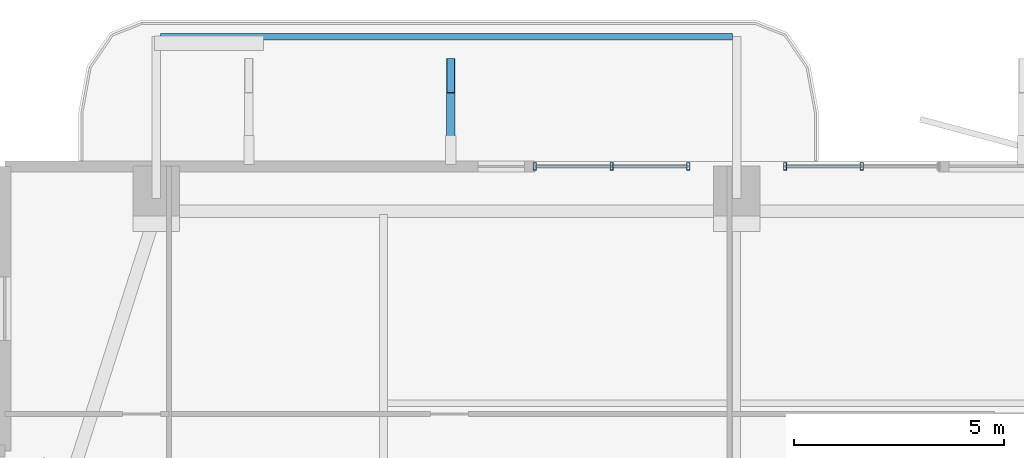
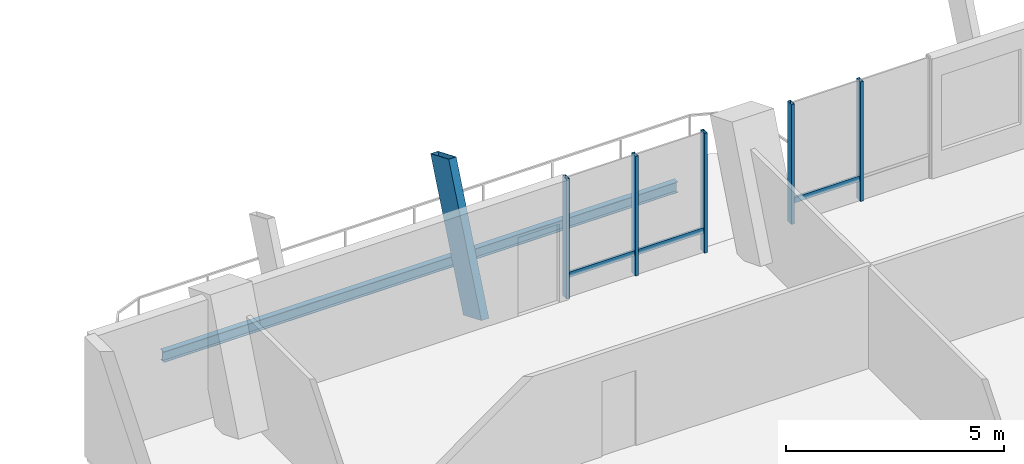
# One storey, part 13 of 24: 9 members, 1 beam, 2 elements without a shape of their own.
"""IFC4 building model written with IfcOpenShell, lengths in metres."""

from ifc_helpers import new_model, si_unit, direction, frame, origin, origin_2d, place, context, subcontext, project, spatial, hollow_rectangle, i_section, extrude, material, layer, layer_set, material_profile, profile_set, type_object, element, aggregate, save


model = new_model("IFC4")

# Units and contexts
model_context = context("Model", 3, precision=1e-05, world=origin(), true_north=direction((0.0, 1.0)))
body_context = subcontext(model_context, "Body", "Model", "MODEL_VIEW")
ifc_project = project(units=[si_unit("LENGTHUNIT", "METRE"), si_unit("AREAUNIT", "SQUARE_METRE"), si_unit("VOLUMEUNIT", "CUBIC_METRE"), si_unit("PLANEANGLEUNIT", "RADIAN"), si_unit("MASSUNIT", "GRAM", prefix="KILO")], contexts=[model_context])

# Site, building, storey
site_placement = place(None, origin())
site = spatial("IfcSite", under=ifc_project, at=site_placement, CompositionType="ELEMENT")
building_placement = place(site_placement, origin())
building = spatial("IfcBuilding", under=site, at=building_placement, Name="Belovzor Exchange Tower", CompositionType="ELEMENT")
storey_placement = place(building_placement, frame((0.0, 0.0, 190.800048828125)))
storey = spatial("IfcBuildingStorey", under=building, at=storey_placement, Name="L47", CompositionType="ELEMENT", Elevation=190.800048828125)

# Beam
ifc_material_1 = material(Name="Steel S355", Category="steel")
ifc_material_profile_1 = material_profile(ifc_material_1, i_section(OverallWidth=0.14990234375, OverallDepth=0.300048828125, WebThickness=0.007080078125, FlangeThickness=0.0107421875, at=origin_2d()))
ifc_profile_set_1 = profile_set([ifc_material_profile_1], Name="Steel S355")
beam_type = type_object("IfcBeamType", Name="Planted Balcony Fascia Edge Beam IPE 300", PredefinedType="BEAM", material=ifc_profile_set_1)
beam_placement = place(storey_placement, frame((28.699951171875, 56.052978515625, -0.405029296875), z_axis=(-1.0, 0.0, 0.0), x_axis=(0.0, -1.0, 0.0)))
element("IfcBeam", 1, at=beam_placement, inside=storey, type_object=beam_type, Name="BC-300 Planted Balcony Fascia Edge Beam IPE 300", PredefinedType="BEAM", context=body_context, shape_type="SweptSolid", body=[
    extrude(i_section(OverallWidth=0.14990234375, OverallDepth=0.300048828125, WebThickness=0.007080078125, FlangeThickness=0.0107421875, at=origin_2d()), origin(), (0.0, 0.0, 1.0), 13.599853515625),
])

# Member
ifc_material_2 = material(Name="Extruded Architectural Terracotta on Steel S355 Carrier", Category="masonry")
ifc_material_profile_2 = material_profile(ifc_material_2, hollow_rectangle(XDim=0.199951171875, YDim=0.89990234375, WallThickness=0.011962890625, at=origin_2d()))
ifc_profile_set_2 = profile_set([ifc_material_profile_2], Name="Extruded Architectural Terracotta on Steel S355 Carrier")
member_type_1 = type_object("IfcMemberType", Name="Sweeping Terracotta Baguette Fin Assembly 1250", PredefinedType="USERDEFINED", material=ifc_profile_set_2)
member_1_placement = place(storey_placement, frame((22.0, 53.625, -0.255126953125), z_axis=(0.0, 0.384162484071, 0.923265501268), x_axis=(-1.0, 0.0, 0.0)))
element("IfcMember", 2, at=member_1_placement, inside=storey, type_object=member_type_1, Name="FIN-TC125 Terracotta Facade Fin L47 N2", ObjectType="FIN", PredefinedType="USERDEFINED", context=body_context, shape_type="SweptSolid", body=[
    extrude(hollow_rectangle(XDim=0.199951171875, YDim=0.89990234375, WallThickness=0.011962890625, at=origin_2d()), origin(), (0.0, 0.0, 1.0), 3.904541015625),
])

# Curtain wall, members
ifc_material_3 = material(Name="Anodised Aluminium Framing", Category="aluminium")
ifc_layer = layer(ifc_material_3, 0.179931640625)
ifc_layer_set = layer_set([ifc_layer], Name="Anodised Aluminium Framing")
curtain_wall_type = type_object("IfcCurtainWallType", Name="Recessed Loggia Low-Iron Triple-Glazed Curtain Wall", PredefinedType="NOTDEFINED", material=ifc_layer_set)
curtain_wall_1_placement = place(storey_placement, origin())
curtain_wall_1 = element("IfcCurtainWall", 3, at=curtain_wall_1_placement, inside=storey, type_object=curtain_wall_type, Name="CW3 Recessed Loggia Low-Iron Triple-Glazed Curtain Wall L47", PredefinedType="NOTDEFINED")
ifc_material_4 = material(Name="Steel S355", Category="steel")
ifc_material_profile_3 = material_profile(ifc_material_4, hollow_rectangle(XDim=0.074951171875, YDim=0.179931640625, WallThickness=0.0048828125, at=origin_2d()))
ifc_profile_set_3 = profile_set([ifc_material_profile_3], Name="Steel S355")
member_type_2 = type_object("IfcMemberType", Name="Thermally Broken Curtain Wall Mullion 180x75", PredefinedType="MULLION", material=ifc_profile_set_3)
member_2_placement = place(storey_placement, frame((24.0, 52.969970703125, 0.0), z_axis=(0.0, 0.0, 1.0), x_axis=(1.0, 0.0, 0.0)))
member_2 = element("IfcMember", 4, at=member_2_placement, type_object=member_type_2, Name="CW-M180 Curtain Wall Mullion 1", PredefinedType="MULLION", context=body_context, shape_type="SweptSolid", body=[
    extrude(hollow_rectangle(XDim=0.074951171875, YDim=0.179931640625, WallThickness=0.0048828125, at=origin_2d()), origin(), (0.0, 0.0, 1.0), 3.349853515625),
])
member_3_placement = place(storey_placement, frame((25.824951171875, 52.969970703125, 0.0), z_axis=(0.0, 0.0, 1.0), x_axis=(1.0, 0.0, 0.0)))
member_3 = element("IfcMember", 5, at=member_3_placement, type_object=member_type_2, Name="CW-M180 Curtain Wall Mullion 2", PredefinedType="MULLION", context=body_context, shape_type="SweptSolid", body=[
    extrude(hollow_rectangle(XDim=0.074951171875, YDim=0.179931640625, WallThickness=0.0048828125, at=origin_2d()), origin(), (0.0, 0.0, 1.0), 3.349853515625),
])
member_4_placement = place(storey_placement, frame((27.64990234375, 52.969970703125, 0.0), z_axis=(0.0, 0.0, 1.0), x_axis=(1.0, 0.0, 0.0)))
member_4 = element("IfcMember", 6, at=member_4_placement, type_object=member_type_2, Name="CW-M180 Curtain Wall Mullion 3", PredefinedType="MULLION", context=body_context, shape_type="SweptSolid", body=[
    extrude(hollow_rectangle(XDim=0.074951171875, YDim=0.179931640625, WallThickness=0.0048828125, at=origin_2d()), origin(), (0.0, 0.0, 1.0), 3.349853515625),
])

curtain_wall_2_placement = place(storey_placement, origin())
curtain_wall_2 = element("IfcCurtainWall", 7, at=curtain_wall_2_placement, inside=storey, type_object=curtain_wall_type, Name="CW3 Recessed Loggia Low-Iron Triple-Glazed Curtain Wall L47", PredefinedType="NOTDEFINED")
member_5_placement = place(storey_placement, frame((29.949951171875, 52.969970703125, 0.0), z_axis=(0.0, 0.0, 1.0), x_axis=(1.0, 0.0, 0.0)))
member_5 = element("IfcMember", 8, at=member_5_placement, type_object=member_type_2, Name="CW-M180 Curtain Wall Mullion 1", PredefinedType="MULLION", context=body_context, shape_type="SweptSolid", body=[
    extrude(hollow_rectangle(XDim=0.074951171875, YDim=0.179931640625, WallThickness=0.0048828125, at=origin_2d()), origin(), (0.0, 0.0, 1.0), 3.349853515625),
])
member_6_placement = place(storey_placement, frame((31.77490234375, 52.969970703125, 0.0), z_axis=(0.0, 0.0, 1.0), x_axis=(1.0, 0.0, 0.0)))
member_6 = element("IfcMember", 9, at=member_6_placement, type_object=member_type_2, Name="CW-M180 Curtain Wall Mullion 2", PredefinedType="MULLION", context=body_context, shape_type="SweptSolid", body=[
    extrude(hollow_rectangle(XDim=0.074951171875, YDim=0.179931640625, WallThickness=0.0048828125, at=origin_2d()), origin(), (0.0, 0.0, 1.0), 3.349853515625),
])

# Member
ifc_material_5 = material(Name="Steel S355", Category="steel")
ifc_material_profile_4 = material_profile(ifc_material_5, hollow_rectangle(XDim=0.06005859375, YDim=0.14990234375, WallThickness=0.00390625, at=origin_2d()))
ifc_profile_set_4 = profile_set([ifc_material_profile_4], Name="Steel S355")
member_type_3 = type_object("IfcMemberType", Name="Thermally Broken Curtain Wall Transom 150x60", PredefinedType="USERDEFINED", material=ifc_profile_set_4)
member_7_placement = place(storey_placement, frame((24.008056640625, 52.969970703125, 0.60302734375), z_axis=(1.0, 0.0, 0.0), x_axis=(0.0, 1.0, 0.0)))
member_7 = element("IfcMember", 10, at=member_7_placement, type_object=member_type_3, Name="CW-T150 Curtain Wall Transom 1", ObjectType="TRANSOM", PredefinedType="USERDEFINED", context=body_context, shape_type="SweptSolid", body=[
    extrude(hollow_rectangle(XDim=0.06005859375, YDim=0.14990234375, WallThickness=0.00390625, at=origin_2d()), origin(), (0.0, 0.0, 1.0), 1.808837890625),
])

member_8_placement = place(storey_placement, frame((25.8330078125, 52.969970703125, 0.60302734375), z_axis=(1.0, 0.0, 0.0), x_axis=(0.0, 1.0, 0.0)))
member_8 = element("IfcMember", 11, at=member_8_placement, type_object=member_type_3, Name="CW-T150 Curtain Wall Transom 2", ObjectType="TRANSOM", PredefinedType="USERDEFINED", context=body_context, shape_type="SweptSolid", body=[
    extrude(hollow_rectangle(XDim=0.06005859375, YDim=0.14990234375, WallThickness=0.00390625, at=origin_2d()), origin(), (0.0, 0.0, 1.0), 1.80908203125),
])

aggregate(curtain_wall_1, [member_2, member_3, member_4, member_7, member_8])

member_9_placement = place(storey_placement, frame((29.9580078125, 52.969970703125, 0.60302734375), z_axis=(1.0, 0.0, 0.0), x_axis=(0.0, 1.0, 0.0)))
member_9 = element("IfcMember", 12, at=member_9_placement, type_object=member_type_3, Name="CW-T150 Curtain Wall Transom 1", ObjectType="TRANSOM", PredefinedType="USERDEFINED", context=body_context, shape_type="SweptSolid", body=[
    extrude(hollow_rectangle(XDim=0.06005859375, YDim=0.14990234375, WallThickness=0.00390625, at=origin_2d()), origin(), (0.0, 0.0, 1.0), 1.80908203125),
])

aggregate(curtain_wall_2, [member_5, member_6, member_9])

save(model, "model.ifc")
